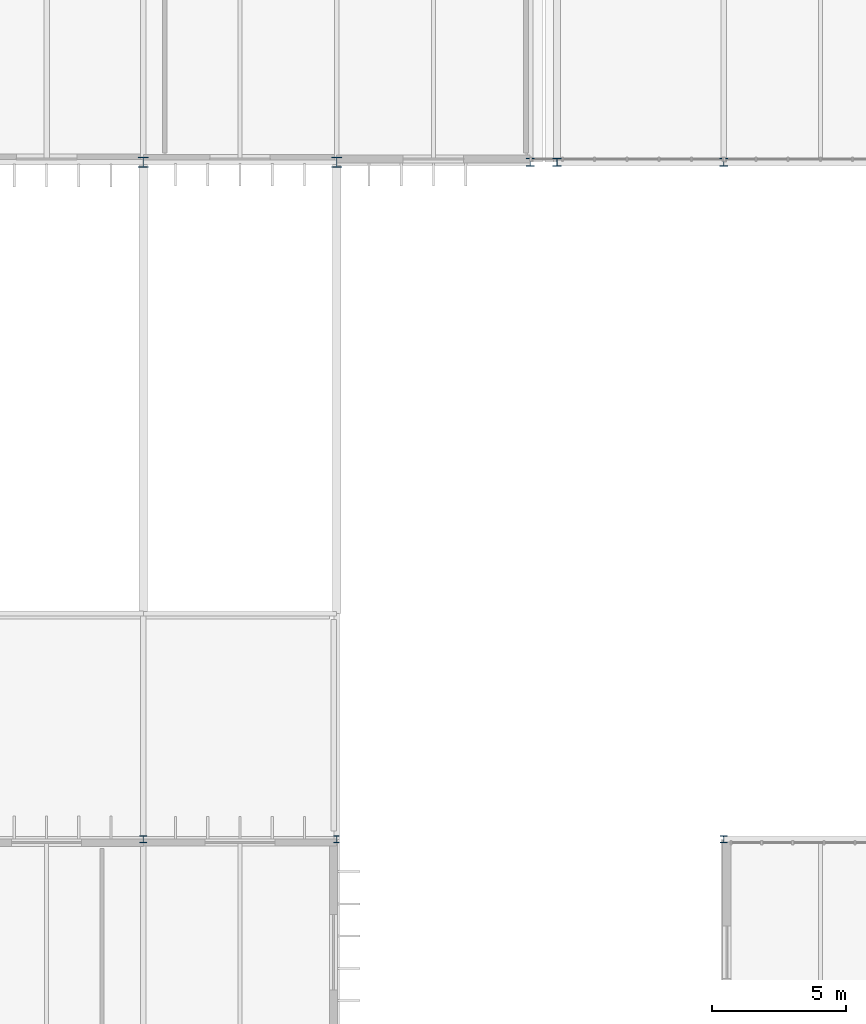
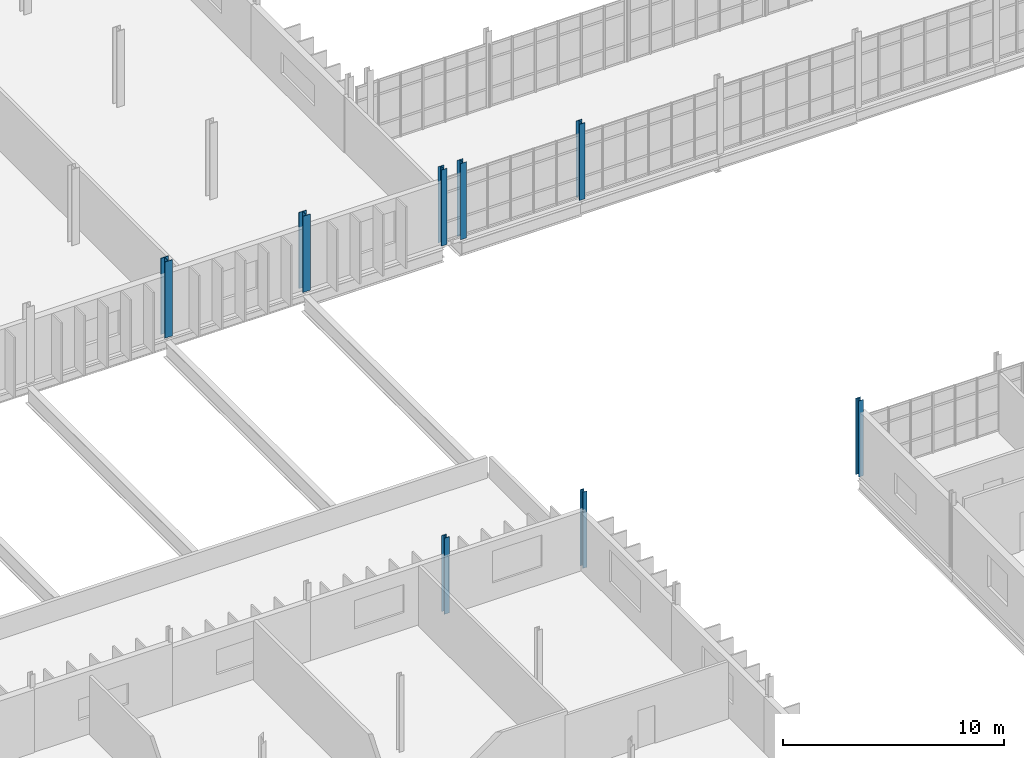
# One storey, part 6 of 119: 8 columns.
"""IFC4 building model written with IfcOpenShell, lengths in metres."""

from ifc_helpers import new_model, si_unit, direction, frame, origin, origin_2d, place, context, subcontext, project, spatial, i_section, extrude, material, material_profile, profile_set, type_object, element, save


model = new_model("IFC4")

# Units and contexts
model_context = context("Model", 3, precision=1e-05, world=origin(), true_north=direction((0.0, 1.0)))
body_context = subcontext(model_context, "Body", "Model", "MODEL_VIEW")
ifc_project = project(units=[si_unit("LENGTHUNIT", "METRE"), si_unit("AREAUNIT", "SQUARE_METRE"), si_unit("VOLUMEUNIT", "CUBIC_METRE"), si_unit("PLANEANGLEUNIT", "RADIAN"), si_unit("MASSUNIT", "GRAM", prefix="KILO")], contexts=[model_context])

# Site, building, storey
site_placement = place(None, origin())
site = spatial("IfcSite", under=ifc_project, at=site_placement, CompositionType="ELEMENT")
building_placement = place(site_placement, origin())
building = spatial("IfcBuilding", under=site, at=building_placement, Name="Qelthora Terrace Specialist Clinic", CompositionType="ELEMENT")
storey_placement = place(building_placement, frame((0.0, 0.0, 4.800048828125)))
storey = spatial("IfcBuildingStorey", under=building, at=storey_placement, Name="L01", CompositionType="ELEMENT", Elevation=4.800048828125)

# Columns
ifc_material = material(Name="Steel S355", Category="steel")
ifc_material_profile_1 = material_profile(ifc_material, i_section(OverallWidth=0.2041015625, OverallDepth=0.257080078125, WebThickness=0.0087890625, FlangeThickness=0.015625, FilletRadius=0.012939453125, at=origin_2d()), Name="W250X67")
ifc_profile_set_1 = profile_set([ifc_material_profile_1], Name="Steel S355")
column_type_1 = type_object("IfcColumnType", Name="COL-W250X67", PredefinedType="COLUMN", material=ifc_profile_set_1)
column_1_placement = place(storey_placement, frame((43.199951171875, 33.60009765625, 0.0), z_axis=(0.0, 0.0, 1.0), x_axis=(1.0, 0.0, 0.0)))
element("IfcColumn", 1, at=column_1_placement, inside=storey, type_object=column_type_1, Name="Column L01-083", PredefinedType="COLUMN", context=body_context, shape_type="SweptSolid", body=[
    extrude(i_section(OverallWidth=0.2041015625, OverallDepth=0.257080078125, WebThickness=0.0087890625, FlangeThickness=0.015625, FilletRadius=0.012939453125, at=origin_2d()), origin(), (0.0, 0.0, 1.0), 4.199951171875),
])
ifc_material_profile_2 = material_profile(ifc_material, i_section(OverallWidth=0.2548828125, OverallDepth=0.256103515625, WebThickness=0.009521484375, FlangeThickness=0.015625, FilletRadius=0.012939453125, at=origin_2d()), Name="W250X80")
ifc_profile_set_2 = profile_set([ifc_material_profile_2], Name="Steel S355")
column_type_2 = type_object("IfcColumnType", Name="COL-W250X80", PredefinedType="COLUMN", material=ifc_profile_set_2)
column_2_placement = place(storey_placement, frame((36.0, 33.60009765625, 0.0), z_axis=(0.0, 0.0, 1.0), x_axis=(1.0, 0.0, 0.0)))
element("IfcColumn", 2, at=column_2_placement, inside=storey, type_object=column_type_2, Name="Column L01-069", PredefinedType="COLUMN", context=body_context, shape_type="SweptSolid", body=[
    extrude(i_section(OverallWidth=0.2548828125, OverallDepth=0.256103515625, WebThickness=0.009521484375, FlangeThickness=0.015625, FilletRadius=0.012939453125, at=origin_2d()), origin(), (0.0, 0.0, 1.0), 4.199951171875),
])
ifc_material_profile_3 = material_profile(ifc_material, i_section(OverallWidth=0.256103515625, OverallDepth=0.260009765625, WebThickness=0.0107421875, FlangeThickness=0.017333984375, FilletRadius=0.012939453125, at=origin_2d()), Name="W250X89")
ifc_profile_set_3 = profile_set([ifc_material_profile_3], Name="Steel S355")
column_type_3 = type_object("IfcColumnType", Name="COL-W250X89", PredefinedType="COLUMN", material=ifc_profile_set_3)
column_3_placement = place(storey_placement, frame((57.60009765625, 33.60009765625, 0.0), z_axis=(0.0, 0.0, 1.0), x_axis=(1.0, 0.0, 0.0)))
element("IfcColumn", 3, at=column_3_placement, inside=storey, type_object=column_type_3, Name="Column L01-108", PredefinedType="COLUMN", context=body_context, shape_type="SweptSolid", body=[
    extrude(i_section(OverallWidth=0.256103515625, OverallDepth=0.260009765625, WebThickness=0.0107421875, FlangeThickness=0.017333984375, FilletRadius=0.012939453125, at=origin_2d()), origin(), (0.0, 0.0, 1.0), 4.199951171875),
])
ifc_material_profile_4 = material_profile(ifc_material, i_section(OverallWidth=0.305908203125, OverallDepth=0.31103515625, WebThickness=0.010986328125, FlangeThickness=0.01708984375, FilletRadius=0.014892578125, at=origin_2d()), Name="W310X107")
ifc_profile_set_4 = profile_set([ifc_material_profile_4], Name="Steel S355")
column_type_4 = type_object("IfcColumnType", Name="COL-W310X107", PredefinedType="COLUMN", material=ifc_profile_set_4)
column_4_placement = place(storey_placement, frame((57.60009765625, 58.800048828125, 0.0), z_axis=(0.0, 0.0, 1.0), x_axis=(1.0, 0.0, 0.0)))
element("IfcColumn", 4, at=column_4_placement, inside=storey, type_object=column_type_4, Name="Column L01-109", PredefinedType="COLUMN", context=body_context, shape_type="SweptSolid", body=[
    extrude(i_section(OverallWidth=0.305908203125, OverallDepth=0.31103515625, WebThickness=0.010986328125, FlangeThickness=0.01708984375, FilletRadius=0.014892578125, at=origin_2d()), origin(), (0.0, 0.0, 1.0), 4.199951171875),
])
ifc_material_profile_5 = material_profile(ifc_material, i_section(OverallWidth=0.306884765625, OverallDepth=0.31396484375, WebThickness=0.011962890625, FlangeThickness=0.018798828125, FilletRadius=0.01611328125, at=origin_2d()), Name="W310X118")
ifc_profile_set_5 = profile_set([ifc_material_profile_5], Name="Steel S355")
column_type_5 = type_object("IfcColumnType", Name="COL-W310X118", PredefinedType="COLUMN", material=ifc_profile_set_5)
for number, where, z_axis, x_axis, name in (
    (5, (50.39990234375, 58.800048828125, 0.0), (0.0, 0.0, 1.0), (1.0, 0.0, 0.0), "Column L01-093"),
    (6, (51.39990234375, 58.800048828125, 0.0), (0.0, 0.0, 1.0), (1.0, 0.0, 0.0), "Column L01-102"),
):
    element("IfcColumn", number, at=place(storey_placement, frame(where, z_axis=z_axis, x_axis=x_axis)), inside=storey, type_object=column_type_5, Name=name, PredefinedType="COLUMN", context=body_context, shape_type="SweptSolid", body=[
        extrude(i_section(OverallWidth=0.306884765625, OverallDepth=0.31396484375, WebThickness=0.011962890625, FlangeThickness=0.018798828125, FilletRadius=0.01611328125, at=origin_2d()), origin(), (0.0, 0.0, 1.0), 4.199951171875),
    ])
ifc_material_profile_6 = material_profile(ifc_material, i_section(OverallWidth=0.39501953125, OverallDepth=0.3798828125, WebThickness=0.018798828125, FlangeThickness=0.0302734375, FilletRadius=0.02001953125, at=origin_2d()), Name="W360X237")
ifc_profile_set_6 = profile_set([ifc_material_profile_6], Name="Steel S355")
column_type_6 = type_object("IfcColumnType", Name="COL-W360X237", PredefinedType="COLUMN", material=ifc_profile_set_6)
for number, where, z_axis, x_axis, name in (
    (7, (36.0, 58.800048828125, 0.0), (0.0, 0.0, 1.0), (1.0, 0.0, 0.0), "Column L01-072"),
    (8, (43.199951171875, 58.800048828125, 0.0), (0.0, 0.0, 1.0), (1.0, 0.0, 0.0), "Column L01-086"),
):
    element("IfcColumn", number, at=place(storey_placement, frame(where, z_axis=z_axis, x_axis=x_axis)), inside=storey, type_object=column_type_6, Name=name, PredefinedType="COLUMN", context=body_context, shape_type="SweptSolid", body=[
        extrude(i_section(OverallWidth=0.39501953125, OverallDepth=0.3798828125, WebThickness=0.018798828125, FlangeThickness=0.0302734375, FilletRadius=0.02001953125, at=origin_2d()), origin(), (0.0, 0.0, 1.0), 4.199951171875),
    ])

save(model, "model.ifc")
